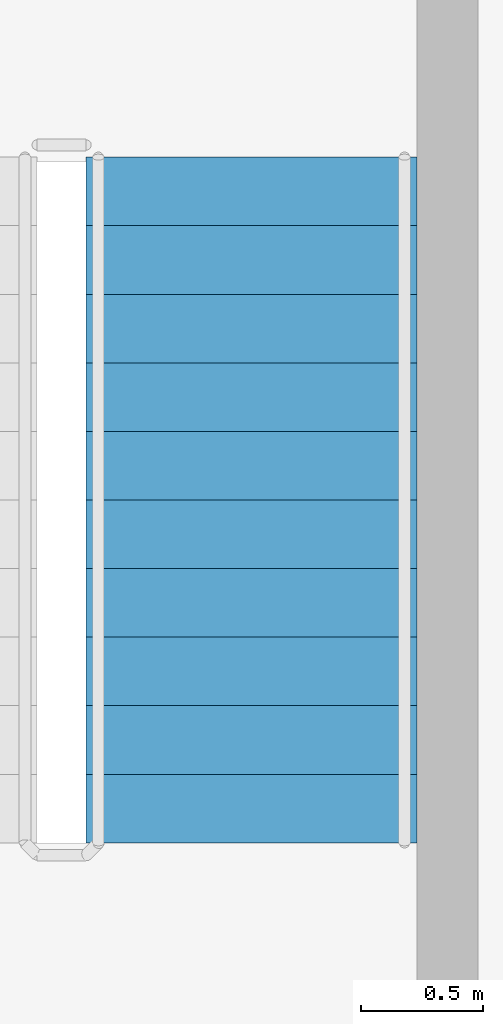
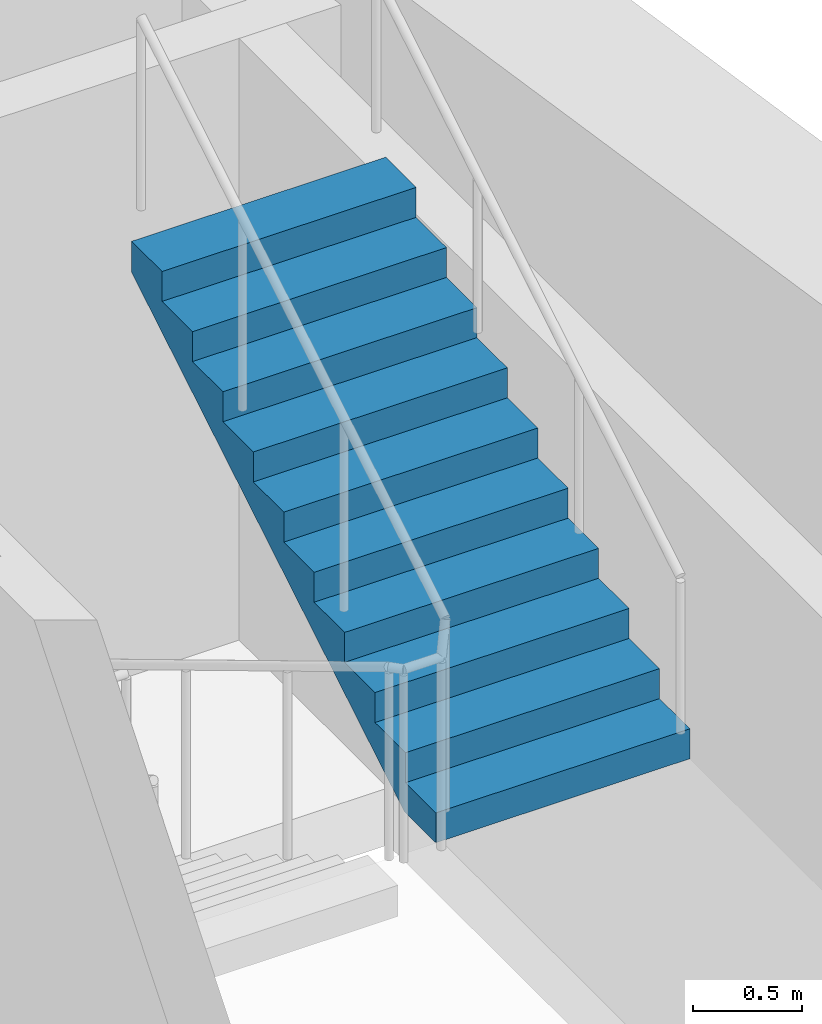
# One storey, part 8 of 13: 1 stair flight, 1 element without a shape of its own.
"""IFC4 building model written with IfcOpenShell, lengths in metres."""

from ifc_helpers import new_model, si_unit, direction, frame, origin, place, context, subcontext, project, spatial, polyline, outline, extrude, material, type_object, element, aggregate, save


model = new_model("IFC4")

# Units and contexts
model_context = context("Model", 3, precision=1e-05, world=origin(), true_north=direction((0.0, 1.0)))
body_context = subcontext(model_context, "Body", "Model", "MODEL_VIEW")
ifc_project = project(units=[si_unit("LENGTHUNIT", "METRE"), si_unit("AREAUNIT", "SQUARE_METRE"), si_unit("VOLUMEUNIT", "CUBIC_METRE"), si_unit("PLANEANGLEUNIT", "RADIAN"), si_unit("MASSUNIT", "GRAM", prefix="KILO")], contexts=[model_context])

# Site, building, storey
site_placement = place(None, origin())
site = spatial("IfcSite", under=ifc_project, at=site_placement, CompositionType="ELEMENT")
building_placement = place(site_placement, origin())
building = spatial("IfcBuilding", under=site, at=building_placement, Name="Candeia Pilgrim Tower and Theatre", CompositionType="ELEMENT")
storey_placement = place(building_placement, frame((0.0, 0.0, 239.199951171875)))
storey = spatial("IfcBuildingStorey", under=building, at=storey_placement, Name="L58", CompositionType="ELEMENT", Elevation=239.199951171875)

# Stair, stair flight
ifc_material = material(Name="Concrete C40/50", Category="concrete")
stair_type = type_object("IfcStairType", Name="ST-TWR dog-leg escape stair", PredefinedType="HALF_TURN_STAIR", material=ifc_material)
stair_placement = place(storey_placement, origin())
stair = element("IfcStair", 1, at=stair_placement, inside=storey, type_object=stair_type, Name="L58 Escape stair ST4", PredefinedType="HALF_TURN_STAIR")
stair_flight_type = type_object("IfcStairFlightType", Name="SFL-RC stair flight", PredefinedType="STRAIGHT", material=ifc_material)
stair_flight_placement = place(storey_placement, frame((136.322998046875, 126.925048828125, 1.85009765625), z_axis=(0.0, 0.0, 1.0), x_axis=(0.0, 1.0, 0.0)))
stair_flight = element("IfcStairFlight", 2, at=stair_flight_placement, type_object=stair_flight_type, Name="ST4 flight 2", NumberOfRisers=11, NumberOfTreads=10, PredefinedType="STRAIGHT", RiserHeight=0.168181818, TreadLength=0.28, context=body_context, shape_type="SweptSolid", body=[
    extrude(outline(polyline([(0.0, 0.0), (0.0, 0.168212890625), (0.280029296875, 0.168212890625), (0.280029296875, 0.33642578125), (0.56005859375, 0.33642578125), (0.56005859375, 0.504638671875), (0.840087890625, 0.504638671875), (0.840087890625, 0.672607421875), (1.1201171875, 0.672607421875), (1.1201171875, 0.8408203125), (1.39990234375, 0.8408203125), (1.39990234375, 1.009033203125), (1.679931640625, 1.009033203125), (1.679931640625, 1.17724609375), (1.9599609375, 1.17724609375), (1.9599609375, 1.345458984375), (2.239990234375, 1.345458984375), (2.239990234375, 1.513671875), (2.52001953125, 1.513671875), (2.52001953125, 1.681884765625), (2.800048828125, 1.681884765625), (2.800048828125, 1.85009765625), (2.800048828125, 1.5068359375), (0.291015625, 0.0), (0.0, 0.0)])), frame((0.0, 0.675048828125, 0.0), z_axis=(0.0, -1.0, 0.0), x_axis=(1.0, 0.0, 0.0)), (0.0, 0.0, 1.0), 1.35009765625),
])
aggregate(stair, [stair_flight])

save(model, "model.ifc")
